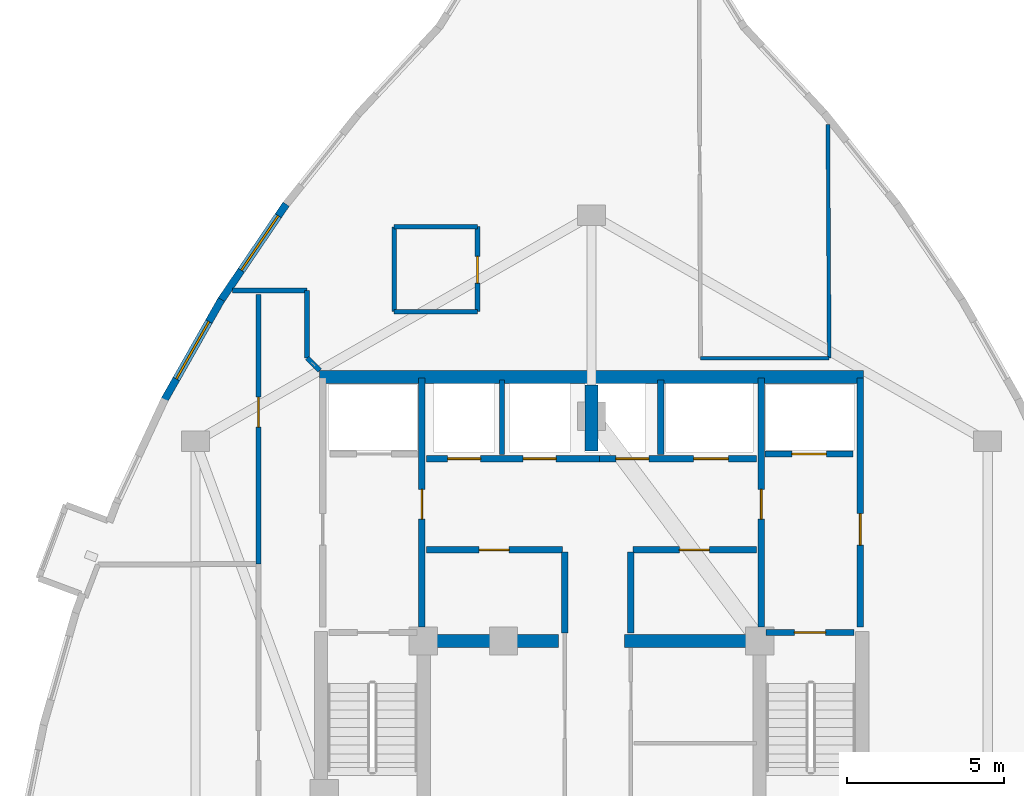
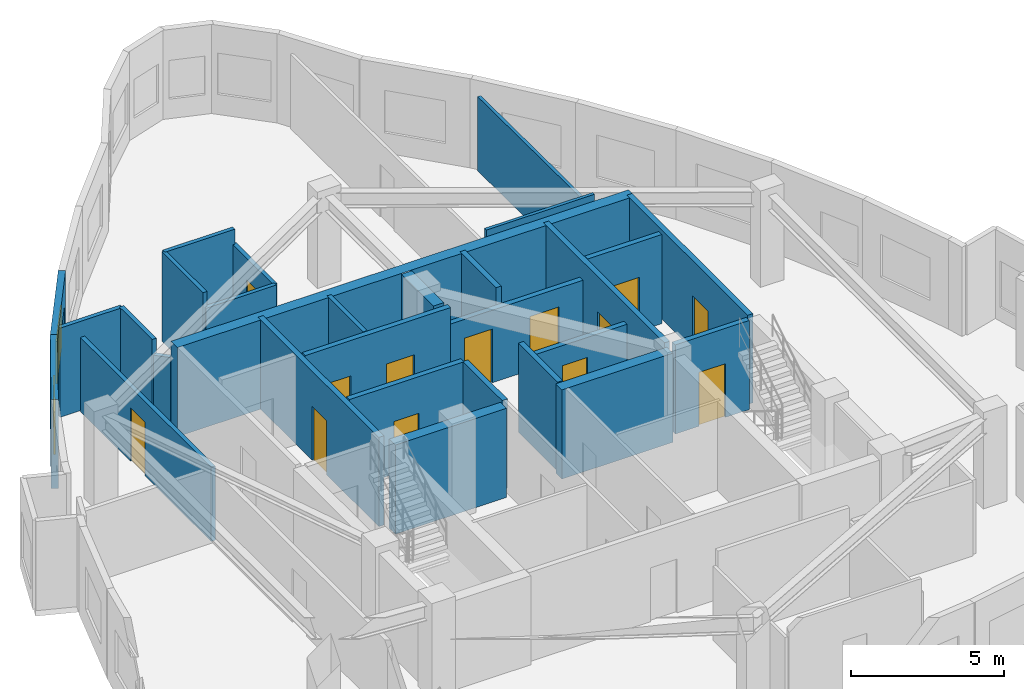
# One storey, part 6 of 9: 29 walls, 13 doors, 2 windows, 15 openings.
"""IFC4 building model written with IfcOpenShell, lengths in metres."""

from ifc_helpers import new_model, si_unit, direction, frame, frame_2d, origin, place, context, subcontext, project, spatial, rectangle, extrude, material, layer, layer_set, type_object, element, fill, save


model = new_model("IFC4")

# Units and contexts
model_context = context("Model", 3, precision=1e-05, world=origin(), true_north=direction((0.0, 1.0)))
body_context = subcontext(model_context, "Body", "Model", "MODEL_VIEW")
ifc_project = project(units=[si_unit("LENGTHUNIT", "METRE"), si_unit("AREAUNIT", "SQUARE_METRE"), si_unit("VOLUMEUNIT", "CUBIC_METRE"), si_unit("PLANEANGLEUNIT", "RADIAN"), si_unit("MASSUNIT", "GRAM", prefix="KILO")], contexts=[model_context])

# Site, building, storey
site_placement = place(None, origin())
site = spatial("IfcSite", under=ifc_project, at=site_placement, CompositionType="ELEMENT")
building_placement = place(site_placement, origin())
building = spatial("IfcBuilding", under=site, at=building_placement, Name="Miruveldt Soraemaru", CompositionType="ELEMENT")
storey_placement = place(building_placement, frame((0.0, 0.0, 263.550048828125)))
storey = spatial("IfcBuildingStorey", under=building, at=storey_placement, Name="L72", CompositionType="ELEMENT", Elevation=263.550048828125)

# Walls
ifc_material_1 = material(Name="Concrete C70/85 (70 MPa)", Category="concrete")
ifc_layer_1 = layer(ifc_material_1, 0.5, Name="Concrete C70/85 (70 MPa)", Category="concrete")
ifc_layer_set_1 = layer_set([ifc_layer_1], Name="Concrete C70/85 (70 MPa)")
wall_type_1 = type_object("IfcWallType", Name="WALL-BW-500", PredefinedType="SHEAR", material=ifc_layer_set_1)
wall_1_placement = place(storey_placement, frame((44.0, 50.10009765625, 0.0), z_axis=(0.0, 0.0, 1.0), x_axis=(0.0, 1.0, 0.0)))
element("IfcWall", 1, at=wall_1_placement, inside=storey, type_object=wall_type_1, Name="L72 Core Buttress Shear Wall BN", PredefinedType="SHEAR", context=body_context, shape_type="SweptSolid", body=[
    extrude(rectangle(XDim=2.099853515625, YDim=0.39990234375, at=frame_2d((1.0498046875, 0.0))), origin(), (0.0, 0.0, 1.0), 3.56494140625),
])
for number, where, z_axis, x_axis, name in (
    (2, (38.75, 44.050048828125, 0.0), (0.0, 0.0, 1.0), (1.0, 0.0, 0.0), "L72 Core Buttress Shear Wall BW"),
    (3, (45.050048828125, 44.050048828125, 0.0), (0.0, 0.0, 1.0), (1.0, 0.0, 0.0), "L72 Core Buttress Shear Wall BE"),
):
    element("IfcWall", number, at=place(storey_placement, frame(where, z_axis=z_axis, x_axis=x_axis)), inside=storey, type_object=wall_type_1, Name=name, PredefinedType="SHEAR", context=body_context, shape_type="SweptSolid", body=[
        extrude(rectangle(XDim=4.199951171875, YDim=0.39990234375, at=frame_2d((2.10009765625, 0.0))), origin(), (0.0, 0.0, 1.0), 3.56494140625),
    ])
ifc_material_2 = material(Name="Concrete C50/60 (50 MPa)", Category="concrete")
ifc_layer_2 = layer(ifc_material_2, 0.419921875, Name="Concrete C50/60 (50 MPa)", Category="concrete")
ifc_layer_set_2 = layer_set([ifc_layer_2], Name="Concrete C50/60 (50 MPa)")
wall_type_2 = type_object("IfcWallType", Name="WALL-CW-420", PredefinedType="SHEAR", material=ifc_layer_set_2)
wall_2_placement = place(storey_placement, frame((35.35009765625, 52.449951171875, 0.0), z_axis=(0.0, 0.0, 1.0), x_axis=(1.0, 0.0, 0.0)))
element("IfcWall", 4, at=wall_2_placement, inside=storey, type_object=wall_type_2, Name="L72 Central Core Shear Wall N", PredefinedType="SHEAR", context=body_context, shape_type="SweptSolid", body=[
    extrude(rectangle(XDim=17.2998046875, YDim=0.419921875, at=frame_2d((8.64990234375, 0.0))), origin(), (0.0, 0.0, 1.0), 3.56494140625),
])

# Wall, opening, window
ifc_material_3 = material(Name="Precast concrete C45/55 (45 MPa)", Category="concrete")
ifc_layer_3 = layer(ifc_material_3, 0.239990234375, Name="Precast concrete C45/55 (45 MPa)", Category="concrete")
ifc_layer_set_3 = layer_set([ifc_layer_3], Name="Precast concrete C45/55 (45 MPa)")
wall_type_3 = type_object("IfcWallType", Name="WALL-EXT-PC240", PredefinedType="SOLIDWALL", material=ifc_layer_set_3)
wall_3_placement = place(storey_placement, frame((34.2841796875, 57.948486328125, 0.0), z_axis=(0.0, 0.0, 1.0), x_axis=(-0.560822138973, -0.827936306993, 0.0)))
wall_3 = element("IfcWall", 5, at=wall_3_placement, inside=storey, type_object=wall_type_3, Name="L72 Precast Concrete Facade Wall 9", PredefinedType="SOLIDWALL", context=body_context, shape_type="SweptSolid", body=[
    extrude(rectangle(XDim=3.736328125, YDim=0.239990234375, at=frame_2d((1.8681640625, 0.0))), origin(), (0.0, 0.0, 1.0), 3.56494140625),
])
opening_1_placement = place(wall_3_placement, frame((0.444091796875, 0.0, 0.800048828125)))
opening_1 = element("IfcOpeningElement", 6, at=opening_1_placement, cuts=wall_3, Name="Opening WN-1", PredefinedType="OPENING", context=body_context, shape_type="SweptSolid", body=[
    extrude(rectangle(XDim=2.10009765625, YDim=1.699951171875, at=frame_2d((1.050048828125, 0.85009765625))), frame((0.0, 0.1298828125, 0.0), z_axis=(0.0, -1.0, 0.0), x_axis=(1.0, 0.0, 0.0)), (0.0, 0.0, 1.0), 0.260009765625),
])
ifc_material_4 = material(Name="Triple low-e insulated glazing", Category="glass")
window_type = type_object("IfcWindowType", Name="WIN-PUNCH-2100x1700", PartitioningType="SINGLE_PANEL", PredefinedType="WINDOW", material=ifc_material_4)
window_1_placement = place(opening_1_placement, origin())
window_1 = element("IfcWindow", 7, at=window_1_placement, inside=storey, type_object=window_type, Name="L72 Punched Triple-Glazed Window 09.1", OverallHeight=1.699951171875, OverallWidth=2.10009765625, PartitioningType="SINGLE_PANEL", PredefinedType="WINDOW", context=body_context, shape_type="SweptSolid", body=[
    extrude(rectangle(XDim=2.10009765625, YDim=1.699951171875, at=frame_2d((1.050048828125, 0.85009765625))), frame((0.0, 0.030029296875, 0.0), z_axis=(0.0, -1.0, 0.0), x_axis=(1.0, 0.0, 0.0)), (0.0, 0.0, 1.0), 0.06005859375),
])
fill(opening_1, window_1)

wall_4_placement = place(storey_placement, frame((32.2255859375, 54.91455078125, 0.0), z_axis=(0.0, 0.0, 1.0), x_axis=(-0.49336758037, -0.869820918718, 0.0)))
wall_4 = element("IfcWall", 8, at=wall_4_placement, inside=storey, type_object=wall_type_3, Name="L72 Precast Concrete Facade Wall 10", PredefinedType="SOLIDWALL", context=body_context, shape_type="SweptSolid", body=[
    extrude(rectangle(XDim=3.712890625, YDim=0.239990234375, at=frame_2d((1.8564453125, 0.0))), origin(), (0.0, 0.0, 1.0), 3.56494140625),
])
opening_2_placement = place(wall_4_placement, frame((0.805908203125, 0.0, 0.800048828125)))
opening_2 = element("IfcOpeningElement", 9, at=opening_2_placement, cuts=wall_4, Name="Opening WN-1", PredefinedType="OPENING", context=body_context, shape_type="SweptSolid", body=[
    extrude(rectangle(XDim=2.10009765625, YDim=1.699951171875, at=frame_2d((1.050048828125, 0.85009765625))), frame((0.0, 0.1298828125, 0.0), z_axis=(0.0, -1.0, 0.0), x_axis=(1.0, 0.0, 0.0)), (0.0, 0.0, 1.0), 0.260009765625),
])
window_2_placement = place(opening_2_placement, origin())
window_2 = element("IfcWindow", 10, at=window_2_placement, inside=storey, type_object=window_type, Name="L72 Punched Triple-Glazed Window 10.1", OverallHeight=1.699951171875, OverallWidth=2.10009765625, PartitioningType="SINGLE_PANEL", PredefinedType="WINDOW", context=body_context, shape_type="SweptSolid", body=[
    extrude(rectangle(XDim=2.10009765625, YDim=1.699951171875, at=frame_2d((1.050048828125, 0.85009765625))), frame((0.0, 0.030029296875, 0.0), z_axis=(0.0, -1.0, 0.0), x_axis=(1.0, 0.0, 0.0)), (0.0, 0.0, 1.0), 0.06005859375),
])
fill(opening_2, window_2)

# Walls
ifc_material_5 = material(Name="Gypsum plasterboard lining", Category="gypsum")
ifc_layer_4 = layer(ifc_material_5, 0.1201171875, Name="Gypsum plasterboard lining", Category="gypsum")
ifc_layer_set_4 = layer_set([ifc_layer_4], Name="Gypsum plasterboard lining")
wall_type_4 = type_object("IfcWallType", Name="WALL-INT-P120", PredefinedType="PARTITIONING", material=ifc_layer_set_4)
wall_5_placement = place(storey_placement, frame((51.51904296875, 60.48095703125, 0.0), z_axis=(0.0, 0.0, 1.0), x_axis=(0.005782339181, -0.999983282137, 0.0)))
element("IfcWall", 11, at=wall_5_placement, inside=storey, type_object=wall_type_4, Name="L72 Partition Wall 27", PredefinedType="PARTITIONING", context=body_context, shape_type="SweptSolid", body=[
    extrude(rectangle(XDim=7.43115234375, YDim=0.1201171875, at=frame_2d((3.715576171875, 0.0))), origin(), (0.0, 0.0, 1.0), 2.96484375),
])
wall_6_placement = place(storey_placement, frame((51.56201171875, 53.050048828125, 0.0), z_axis=(0.0, 0.0, 1.0), x_axis=(-1.0, 0.0, 0.0)))
element("IfcWall", 12, at=wall_6_placement, inside=storey, type_object=wall_type_4, Name="L72 Partition Wall 28", PredefinedType="PARTITIONING", context=body_context, shape_type="SweptSolid", body=[
    extrude(rectangle(XDim=4.095947265625, YDim=0.1201171875, at=frame_2d((2.0478515625, 0.0))), origin(), (0.0, 0.0, 1.0), 3.56494140625),
])

# Wall, opening, door
ifc_layer_5 = layer(ifc_material_5, 0.14990234375, Name="Gypsum plasterboard lining", Category="gypsum")
ifc_layer_set_5 = layer_set([ifc_layer_5], Name="Gypsum plasterboard lining")
wall_type_5 = type_object("IfcWallType", Name="WALL-INT-PLUMB", PredefinedType="PLUMBINGWALL", material=ifc_layer_set_5)
wall_7_placement = place(storey_placement, frame((40.3720703125, 54.530029296875, 0.0), z_axis=(0.0, 0.0, 1.0), x_axis=(0.0, 1.0, 0.0)))
wall_7 = element("IfcWall", 13, at=wall_7_placement, inside=storey, type_object=wall_type_5, Name="L72 Partition Wall 11", PredefinedType="PLUMBINGWALL", context=body_context, shape_type="SweptSolid", body=[
    extrude(rectangle(XDim=2.699951171875, YDim=0.14990234375, at=frame_2d((1.35009765625, 0.0))), origin(), (0.0, 0.0, 1.0), 2.96484375),
])
opening_3_placement = place(wall_7_placement, frame((0.909912109375, 0.0, 0.0)))
opening_3 = element("IfcOpeningElement", 14, at=opening_3_placement, cuts=wall_7, Name="Opening FD3", PredefinedType="OPENING", context=body_context, shape_type="SweptSolid", body=[
    extrude(rectangle(XDim=0.85009765625, YDim=2.10009765625, at=frame_2d((0.425048828125, 1.050048828125))), frame((0.0, 0.0849609375, 0.0), z_axis=(0.0, -1.0, 0.0), x_axis=(1.0, 0.0, 0.0)), (0.0, 0.0, 1.0), 0.169921875),
])
ifc_material_6 = material(Name="Anodised aluminium EN AW-6063 T6", Category="aluminium")
door_type_1 = type_object("IfcDoorType", Name="DOOR-FD3-850", OperationType="NOTDEFINED", PredefinedType="DOOR", material=ifc_material_6)
door_1_placement = place(opening_3_placement, origin())
door_1 = element("IfcDoor", 15, at=door_1_placement, inside=storey, type_object=door_type_1, Name="L72 Unit 7201 BTH Door", OperationType="SINGLE_SWING_RIGHT", OverallHeight=2.10009765625, OverallWidth=0.85009765625, PredefinedType="DOOR", context=body_context, shape_type="SweptSolid", body=[
    extrude(rectangle(XDim=0.85009765625, YDim=2.10009765625, at=frame_2d((0.425048828125, 1.050048828125))), frame((0.0, 0.02490234375, 0.0), z_axis=(0.0, -1.0, 0.0), x_axis=(1.0, 0.0, 0.0)), (0.0, 0.0, 1.0), 0.050048828125),
])
fill(opening_3, door_1)

# Walls
wall_8_placement = place(storey_placement, frame((37.721923828125, 57.22998046875, 0.0), z_axis=(0.0, 0.0, 1.0), x_axis=(0.0, -1.0, 0.0)))
element("IfcWall", 16, at=wall_8_placement, inside=storey, type_object=wall_type_5, Name="L72 Partition Wall 13", PredefinedType="PLUMBINGWALL", context=body_context, shape_type="SweptSolid", body=[
    extrude(rectangle(XDim=2.699951171875, YDim=0.14990234375, at=frame_2d((1.35009765625, 0.0))), origin(), (0.0, 0.0, 1.0), 3.56494140625),
])
wall_9_placement = place(storey_placement, frame((40.3720703125, 57.22998046875, 0.0), z_axis=(0.0, 0.0, 1.0), x_axis=(-1.0, 0.0, 0.0)))
element("IfcWall", 17, at=wall_9_placement, inside=storey, type_object=wall_type_5, Name="L72 Partition Wall 12", PredefinedType="PLUMBINGWALL", context=body_context, shape_type="SweptSolid", body=[
    extrude(rectangle(XDim=2.650146484375, YDim=0.14990234375, at=frame_2d((1.3251953125, 0.0))), origin(), (0.0, 0.0, 1.0), 3.56494140625),
])
wall_10_placement = place(storey_placement, frame((37.721923828125, 54.530029296875, 0.0), z_axis=(0.0, 0.0, 1.0), x_axis=(1.0, 0.0, 0.0)))
element("IfcWall", 18, at=wall_10_placement, inside=storey, type_object=wall_type_5, Name="L72 Partition Wall 14", PredefinedType="PLUMBINGWALL", context=body_context, shape_type="SweptSolid", body=[
    extrude(rectangle(XDim=2.650146484375, YDim=0.14990234375, at=frame_2d((1.3251953125, 0.0))), origin(), (0.0, 0.0, 1.0), 2.96484375),
])

# Wall, opening, door
ifc_material_7 = material(Name="Concrete C40/50 (40 MPa)", Category="concrete")
ifc_layer_6 = layer(ifc_material_7, 0.159912109375, Name="Concrete C40/50 (40 MPa)", Category="concrete")
ifc_layer_set_6 = layer_set([ifc_layer_6], Name="Concrete C40/50 (40 MPa)")
wall_type_6 = type_object("IfcWallType", Name="WALL-INT-RC160", PredefinedType="SOLIDWALL", material=ifc_layer_set_6)
wall_11_placement = place(storey_placement, frame((33.39990234375, 55.075927734375, 0.0), z_axis=(0.0, 0.0, 1.0), x_axis=(0.0, -1.0, 0.0)))
wall_11 = element("IfcWall", 19, at=wall_11_placement, inside=storey, type_object=wall_type_6, Name="L72 Partition Wall 3", PredefinedType="SOLIDWALL", context=body_context, shape_type="SweptSolid", body=[
    extrude(rectangle(XDim=8.571044921875, YDim=0.159912109375, at=frame_2d((4.28564453125, 0.0))), origin(), (0.0, 0.0, 1.0), 2.96484375),
])
opening_4_placement = place(wall_11_placement, frame((3.27001953125, 0.0, 0.0)))
opening_4 = element("IfcOpeningElement", 20, at=opening_4_placement, cuts=wall_11, Name="Opening FD2", PredefinedType="OPENING", context=body_context, shape_type="SweptSolid", body=[
    extrude(rectangle(XDim=0.949951171875, YDim=2.14990234375, at=frame_2d((0.47509765625, 1.074951171875))), frame((0.0, 0.08984375, 0.0), z_axis=(0.0, -1.0, 0.0), x_axis=(1.0, 0.0, 0.0)), (0.0, 0.0, 1.0), 0.179931640625),
])
door_type_2 = type_object("IfcDoorType", Name="DOOR-FD2-950", OperationType="NOTDEFINED", PredefinedType="DOOR", material=ifc_material_6)
door_2_placement = place(opening_4_placement, origin())
door_2 = element("IfcDoor", 21, at=door_2_placement, inside=storey, type_object=door_type_2, Name="L72 Unit 7201 Entrance Fire Door", OperationType="SINGLE_SWING_LEFT", OverallHeight=2.14990234375, OverallWidth=0.949951171875, PredefinedType="DOOR", context=body_context, shape_type="SweptSolid", body=[
    extrude(rectangle(XDim=0.949951171875, YDim=2.14990234375, at=frame_2d((0.47509765625, 1.074951171875))), frame((0.0, 0.02490234375, 0.0), z_axis=(0.0, -1.0, 0.0), x_axis=(1.0, 0.0, 0.0)), (0.0, 0.0, 1.0), 0.050048828125),
])
fill(opening_4, door_2)

# Walls
wall_12_placement = place(storey_placement, frame((41.14990234375, 49.97998046875, 0.0), z_axis=(0.0, 0.0, 1.0), x_axis=(0.0, 1.0, 0.0)))
element("IfcWall", 22, at=wall_12_placement, inside=storey, type_object=wall_type_6, Name="L72 Core Compartment Wall PLH-DIV1", PredefinedType="SOLIDWALL", context=body_context, shape_type="SweptSolid", body=[
    extrude(rectangle(XDim=2.3701171875, YDim=0.159912109375, at=frame_2d((1.18505859375, 0.0))), origin(), (0.0, 0.0, 1.0), 3.56494140625),
])
wall_13_placement = place(storey_placement, frame((34.949951171875, 55.199951171875, 0.0), z_axis=(0.0, 0.0, 1.0), x_axis=(-1.0, 0.0, 0.0)))
element("IfcWall", 23, at=wall_13_placement, inside=storey, type_object=wall_type_6, Name="L72 Partition Wall 2", PredefinedType="SOLIDWALL", context=body_context, shape_type="SweptSolid", body=[
    extrude(rectangle(XDim=2.364990234375, YDim=0.159912109375, at=frame_2d((1.1826171875, 0.0))), origin(), (0.0, 0.0, 1.0), 3.56494140625),
])
wall_14_placement = place(storey_placement, frame((34.949951171875, 53.054931640625, 0.0), z_axis=(0.0, 0.0, 1.0), x_axis=(0.0, 1.0, 0.0)))
element("IfcWall", 24, at=wall_14_placement, inside=storey, type_object=wall_type_6, Name="L72 Partition Wall 1", PredefinedType="SOLIDWALL", context=body_context, shape_type="SweptSolid", body=[
    extrude(rectangle(XDim=2.14501953125, YDim=0.159912109375, at=frame_2d((1.072509765625, 0.0))), origin(), (0.0, 0.0, 1.0), 3.56494140625),
])
wall_15_placement = place(storey_placement, frame((34.949951171875, 53.054931640625, 0.0), z_axis=(0.0, 0.0, 1.0), x_axis=(0.711651166781, -0.70253300052, 0.0)))
element("IfcWall", 25, at=wall_15_placement, inside=storey, type_object=wall_type_6, Name="L72 Partition Closure Return 1", PredefinedType="SOLIDWALL", context=body_context, shape_type="SweptSolid", body=[
    extrude(rectangle(XDim=0.562255859375, YDim=0.159912109375, at=frame_2d((0.28125, 0.0))), origin(), (0.0, 0.0, 1.0), 2.96484375),
])

# Wall, opening, door
ifc_layer_7 = layer(ifc_material_7, 0.199951171875, Name="Concrete C40/50 (40 MPa)", Category="concrete")
ifc_layer_set_7 = layer_set([ifc_layer_7], Name="Concrete C40/50 (40 MPa)")
wall_type_7 = type_object("IfcWallType", Name="WALL-INT-RC200", PredefinedType="SOLIDWALL", material=ifc_layer_set_7)
wall_16_placement = place(storey_placement, frame((52.550048828125, 44.5, 0.0), z_axis=(0.0, 0.0, 1.0), x_axis=(0.0, 1.0, 0.0)))
wall_16 = element("IfcWall", 26, at=wall_16_placement, inside=storey, type_object=wall_type_7, Name="L72 Core Compartment Wall FFE-OUT", PredefinedType="SOLIDWALL", context=body_context, shape_type="SweptSolid", body=[
    extrude(rectangle(XDim=7.919921875, YDim=0.199951171875, at=frame_2d((3.9599609375, 0.0))), origin(), (0.0, 0.0, 1.0), 3.56494140625),
])
opening_5_placement = place(wall_16_placement, frame((2.60009765625, 0.0, 0.0)))
opening_5 = element("IfcOpeningElement", 27, at=opening_5_placement, cuts=wall_16, Name="Opening FD1", PredefinedType="OPENING", context=body_context, shape_type="SweptSolid", body=[
    extrude(rectangle(XDim=1.0, YDim=2.14990234375, at=frame_2d((0.5, 1.074951171875))), frame((0.0, 0.10986328125, 0.0), z_axis=(0.0, -1.0, 0.0), x_axis=(1.0, 0.0, 0.0)), (0.0, 0.0, 1.0), 0.219970703125),
])
door_type_3 = type_object("IfcDoorType", Name="DOOR-FD1-1000", OperationType="NOTDEFINED", PredefinedType="DOOR", material=ifc_material_6)
door_3_placement = place(opening_5_placement, frame((1.0, 0.0, 0.0), z_axis=(0.0, 0.0, 1.0), x_axis=(-1.0, 0.0, 0.0)))
door_3 = element("IfcDoor", 28, at=door_3_placement, inside=storey, type_object=door_type_3, Name="L72 East Firefighting Lobby Exit Door", OperationType="SINGLE_SWING_RIGHT", OverallHeight=2.14990234375, OverallWidth=1.0, PredefinedType="DOOR", context=body_context, shape_type="SweptSolid", body=[
    extrude(rectangle(XDim=1.0, YDim=2.14990234375, at=frame_2d((0.5, 1.074951171875))), frame((0.0, 0.02490234375, 0.0), z_axis=(0.0, -1.0, 0.0), x_axis=(1.0, 0.0, 0.0)), (0.0, 0.0, 1.0), 0.050048828125),
])
fill(opening_5, door_3)

wall_17_placement = place(storey_placement, frame((38.60009765625, 44.5, 0.0), z_axis=(0.0, 0.0, 1.0), x_axis=(0.0, 1.0, 0.0)))
wall_17 = element("IfcWall", 29, at=wall_17_placement, inside=storey, type_object=wall_type_7, Name="L72 Core Compartment Wall FFW-IN", PredefinedType="SOLIDWALL", context=body_context, shape_type="SweptSolid", body=[
    extrude(rectangle(XDim=7.919921875, YDim=0.199951171875, at=frame_2d((3.9599609375, 0.0))), origin(), (0.0, 0.0, 1.0), 3.56494140625),
])
opening_6_placement = place(wall_17_placement, frame((3.425048828125, 0.0, 0.0)))
opening_6 = element("IfcOpeningElement", 30, at=opening_6_placement, cuts=wall_17, Name="Opening FD2", PredefinedType="OPENING", context=body_context, shape_type="SweptSolid", body=[
    extrude(rectangle(XDim=0.949951171875, YDim=2.14990234375, at=frame_2d((0.47509765625, 1.074951171875))), frame((0.0, 0.10986328125, 0.0), z_axis=(0.0, -1.0, 0.0), x_axis=(1.0, 0.0, 0.0)), (0.0, 0.0, 1.0), 0.219970703125),
])
door_4_placement = place(opening_6_placement, frame((0.949951171875, 0.0, 0.0), z_axis=(0.0, 0.0, 1.0), x_axis=(-1.0, 0.0, 0.0)))
door_4 = element("IfcDoor", 31, at=door_4_placement, inside=storey, type_object=door_type_2, Name="L72 Lift Lobby to West Fire Lobby Door", OperationType="SINGLE_SWING_RIGHT", OverallHeight=2.14990234375, OverallWidth=0.949951171875, PredefinedType="DOOR", context=body_context, shape_type="SweptSolid", body=[
    extrude(rectangle(XDim=0.949951171875, YDim=2.14990234375, at=frame_2d((0.47509765625, 1.074951171875))), frame((0.0, 0.02490234375, 0.0), z_axis=(0.0, -1.0, 0.0), x_axis=(1.0, 0.0, 0.0)), (0.0, 0.0, 1.0), 0.050048828125),
])
fill(opening_6, door_4)

wall_18_placement = place(storey_placement, frame((49.39990234375, 44.5, 0.0), z_axis=(0.0, 0.0, 1.0), x_axis=(0.0, 1.0, 0.0)))
wall_18 = element("IfcWall", 32, at=wall_18_placement, inside=storey, type_object=wall_type_7, Name="L72 Core Compartment Wall FFE-IN", PredefinedType="SOLIDWALL", context=body_context, shape_type="SweptSolid", body=[
    extrude(rectangle(XDim=7.919921875, YDim=0.199951171875, at=frame_2d((3.9599609375, 0.0))), origin(), (0.0, 0.0, 1.0), 3.56494140625),
])
opening_7_placement = place(wall_18_placement, frame((3.425048828125, 0.0, 0.0)))
opening_7 = element("IfcOpeningElement", 33, at=opening_7_placement, cuts=wall_18, Name="Opening FD2", PredefinedType="OPENING", context=body_context, shape_type="SweptSolid", body=[
    extrude(rectangle(XDim=0.949951171875, YDim=2.14990234375, at=frame_2d((0.47509765625, 1.074951171875))), frame((0.0, 0.10986328125, 0.0), z_axis=(0.0, -1.0, 0.0), x_axis=(1.0, 0.0, 0.0)), (0.0, 0.0, 1.0), 0.219970703125),
])
door_5_placement = place(opening_7_placement, origin())
door_5 = element("IfcDoor", 34, at=door_5_placement, inside=storey, type_object=door_type_2, Name="L72 Lift Lobby to East Fire Lobby Door", OperationType="SINGLE_SWING_LEFT", OverallHeight=2.14990234375, OverallWidth=0.949951171875, PredefinedType="DOOR", context=body_context, shape_type="SweptSolid", body=[
    extrude(rectangle(XDim=0.949951171875, YDim=2.14990234375, at=frame_2d((0.47509765625, 1.074951171875))), frame((0.0, 0.02490234375, 0.0), z_axis=(0.0, -1.0, 0.0), x_axis=(1.0, 0.0, 0.0)), (0.0, 0.0, 1.0), 0.050048828125),
])
fill(opening_7, door_5)

# Wall, openings, doors
wall_19_placement = place(storey_placement, frame((38.75, 49.85009765625, 0.0), z_axis=(0.0, 0.0, 1.0), x_axis=(1.0, 0.0, 0.0)))
wall_19 = element("IfcWall", 35, at=wall_19_placement, inside=storey, type_object=wall_type_7, Name="L72 Core Compartment Wall ROWA-SW", PredefinedType="SOLIDWALL", context=body_context, shape_type="SweptSolid", body=[
    extrude(rectangle(XDim=5.5, YDim=0.199951171875, at=frame_2d((2.75, 0.0))), origin(), (0.0, 0.0, 1.0), 3.56494140625),
])
opening_8_placement = place(wall_19_placement, frame((0.675048828125, 0.0, 0.0)))
opening_8 = element("IfcOpeningElement", 36, at=opening_8_placement, cuts=wall_19, Name="Opening LD1", PredefinedType="OPENING", context=body_context, shape_type="SweptSolid", body=[
    extrude(rectangle(XDim=1.050048828125, YDim=2.14990234375, at=frame_2d((0.52490234375, 1.074951171875))), frame((0.0, 0.10986328125, 0.0), z_axis=(0.0, -1.0, 0.0), x_axis=(1.0, 0.0, 0.0)), (0.0, 0.0, 1.0), 0.219970703125),
])
opening_9_placement = place(wall_19_placement, frame((3.074951171875, 0.0, 0.0)))
opening_9 = element("IfcOpeningElement", 37, at=opening_9_placement, cuts=wall_19, Name="Opening LD1", PredefinedType="OPENING", context=body_context, shape_type="SweptSolid", body=[
    extrude(rectangle(XDim=1.050048828125, YDim=2.14990234375, at=frame_2d((0.52490234375, 1.074951171875))), frame((0.0, 0.10986328125, 0.0), z_axis=(0.0, -1.0, 0.0), x_axis=(1.0, 0.0, 0.0)), (0.0, 0.0, 1.0), 0.219970703125),
])
door_type_4 = type_object("IfcDoorType", Name="DOOR-LD1-1050", OperationType="SLIDING_TO_LEFT", PredefinedType="DOOR", material=ifc_material_6)
door_6_placement = place(opening_8_placement, origin())
door_6 = element("IfcDoor", 38, at=door_6_placement, inside=storey, type_object=door_type_4, Name="L72 PL-H1 Landing Door", OperationType="SLIDING_TO_LEFT", OverallHeight=2.14990234375, OverallWidth=1.050048828125, PredefinedType="DOOR", context=body_context, shape_type="SweptSolid", body=[
    extrude(rectangle(XDim=1.050048828125, YDim=2.14990234375, at=frame_2d((0.52490234375, 1.074951171875))), frame((0.0, 0.02490234375, 0.0), z_axis=(0.0, -1.0, 0.0), x_axis=(1.0, 0.0, 0.0)), (0.0, 0.0, 1.0), 0.050048828125),
])
fill(opening_8, door_6)
door_7_placement = place(opening_9_placement, origin())
door_7 = element("IfcDoor", 39, at=door_7_placement, inside=storey, type_object=door_type_4, Name="L72 PL-H2 Landing Door", OperationType="SLIDING_TO_LEFT", OverallHeight=2.14990234375, OverallWidth=1.050048828125, PredefinedType="DOOR", context=body_context, shape_type="SweptSolid", body=[
    extrude(rectangle(XDim=1.050048828125, YDim=2.14990234375, at=frame_2d((0.52490234375, 1.074951171875))), frame((0.0, 0.02490234375, 0.0), z_axis=(0.0, -1.0, 0.0), x_axis=(1.0, 0.0, 0.0)), (0.0, 0.0, 1.0), 0.050048828125),
])
fill(opening_9, door_7)

wall_20_placement = place(storey_placement, frame((44.25, 49.85009765625, 0.0), z_axis=(0.0, 0.0, 1.0), x_axis=(1.0, 0.0, 0.0)))
wall_20 = element("IfcWall", 40, at=wall_20_placement, inside=storey, type_object=wall_type_7, Name="L72 Core Compartment Wall ROWA-SE", PredefinedType="SOLIDWALL", context=body_context, shape_type="SweptSolid", body=[
    extrude(rectangle(XDim=5.0, YDim=0.199951171875, at=frame_2d((2.5, 0.0))), origin(), (0.0, 0.0, 1.0), 2.90283203125),
])
opening_10_placement = place(wall_20_placement, frame((0.52490234375, 0.0, 0.0)))
opening_10 = element("IfcOpeningElement", 41, at=opening_10_placement, cuts=wall_20, Name="Opening LD1", PredefinedType="OPENING", context=body_context, shape_type="SweptSolid", body=[
    extrude(rectangle(XDim=1.050048828125, YDim=2.14990234375, at=frame_2d((0.52490234375, 1.074951171875))), frame((0.0, 0.10986328125, 0.0), z_axis=(0.0, -1.0, 0.0), x_axis=(1.0, 0.0, 0.0)), (0.0, 0.0, 1.0), 0.219970703125),
])
opening_11_placement = place(wall_20_placement, frame((3.0, 0.0, 0.0)))
opening_11 = element("IfcOpeningElement", 42, at=opening_11_placement, cuts=wall_20, Name="Opening LD2", PredefinedType="OPENING", context=body_context, shape_type="SweptSolid", body=[
    extrude(rectangle(XDim=1.10009765625, YDim=2.14990234375, at=frame_2d((0.550048828125, 1.074951171875))), frame((0.0, 0.10986328125, 0.0), z_axis=(0.0, -1.0, 0.0), x_axis=(1.0, 0.0, 0.0)), (0.0, 0.0, 1.0), 0.219970703125),
])
door_8_placement = place(opening_10_placement, origin())
door_8 = element("IfcDoor", 43, at=door_8_placement, inside=storey, type_object=door_type_4, Name="L72 PL-H3 Landing Door", OperationType="SLIDING_TO_LEFT", OverallHeight=2.14990234375, OverallWidth=1.050048828125, PredefinedType="DOOR", context=body_context, shape_type="SweptSolid", body=[
    extrude(rectangle(XDim=1.050048828125, YDim=2.14990234375, at=frame_2d((0.52490234375, 1.074951171875))), frame((0.0, 0.02490234375, 0.0), z_axis=(0.0, -1.0, 0.0), x_axis=(1.0, 0.0, 0.0)), (0.0, 0.0, 1.0), 0.050048828125),
])
fill(opening_10, door_8)
door_type_5 = type_object("IfcDoorType", Name="DOOR-LD2-1100", OperationType="SLIDING_TO_LEFT", PredefinedType="DOOR", material=ifc_material_6)
door_9_placement = place(opening_11_placement, origin())
door_9 = element("IfcDoor", 44, at=door_9_placement, inside=storey, type_object=door_type_5, Name="L72 SL-1 Landing Door", OperationType="SLIDING_TO_LEFT", OverallHeight=2.14990234375, OverallWidth=1.10009765625, PredefinedType="DOOR", context=body_context, shape_type="SweptSolid", body=[
    extrude(rectangle(XDim=1.10009765625, YDim=2.14990234375, at=frame_2d((0.550048828125, 1.074951171875))), frame((0.0, 0.02490234375, 0.0), z_axis=(0.0, -1.0, 0.0), x_axis=(1.0, 0.0, 0.0)), (0.0, 0.0, 1.0), 0.050048828125),
])
fill(opening_11, door_9)

# Wall, opening, door
wall_21_placement = place(storey_placement, frame((38.75, 46.949951171875, 0.0), z_axis=(0.0, 0.0, 1.0), x_axis=(1.0, 0.0, 0.0)))
wall_21 = element("IfcWall", 45, at=wall_21_placement, inside=storey, type_object=wall_type_7, Name="L72 Core Compartment Wall MBW-N", PredefinedType="SOLIDWALL", context=body_context, shape_type="SweptSolid", body=[
    extrude(rectangle(XDim=4.330078125, YDim=0.199951171875, at=frame_2d((2.1650390625, 0.0))), origin(), (0.0, 0.0, 1.0), 3.56494140625),
])
opening_12_placement = place(wall_21_placement, frame((1.675048828125, 0.0, 0.0)))
opening_12 = element("IfcOpeningElement", 46, at=opening_12_placement, cuts=wall_21, Name="Opening D2", PredefinedType="OPENING", context=body_context, shape_type="SweptSolid", body=[
    extrude(rectangle(XDim=0.949951171875, YDim=2.10009765625, at=frame_2d((0.47509765625, 1.050048828125))), frame((0.0, 0.10986328125, 0.0), z_axis=(0.0, -1.0, 0.0), x_axis=(1.0, 0.0, 0.0)), (0.0, 0.0, 1.0), 0.219970703125),
])
door_type_6 = type_object("IfcDoorType", Name="DOOR-INT-950", OperationType="NOTDEFINED", PredefinedType="DOOR", material=ifc_material_6)
door_10_placement = place(opening_12_placement, origin())
door_10 = element("IfcDoor", 47, at=door_10_placement, inside=storey, type_object=door_type_6, Name="L72 Fire Door", OperationType="SINGLE_SWING_LEFT", OverallHeight=2.10009765625, OverallWidth=0.949951171875, PredefinedType="DOOR", context=body_context, shape_type="SweptSolid", body=[
    extrude(rectangle(XDim=0.949951171875, YDim=2.10009765625, at=frame_2d((0.47509765625, 1.050048828125))), frame((0.0, 0.02490234375, 0.0), z_axis=(0.0, -1.0, 0.0), x_axis=(1.0, 0.0, 0.0)), (0.0, 0.0, 1.0), 0.050048828125),
])
fill(opening_12, door_10)

wall_22_placement = place(storey_placement, frame((45.320068359375, 46.949951171875, 0.0), z_axis=(0.0, 0.0, 1.0), x_axis=(1.0, 0.0, 0.0)))
wall_22 = element("IfcWall", 48, at=wall_22_placement, inside=storey, type_object=wall_type_7, Name="L72 Core Compartment Wall MBE-N", PredefinedType="SOLIDWALL", context=body_context, shape_type="SweptSolid", body=[
    extrude(rectangle(XDim=3.929931640625, YDim=0.199951171875, at=frame_2d((1.96484375, 0.0))), origin(), (0.0, 0.0, 1.0), 2.90283203125),
])
opening_13_placement = place(wall_22_placement, frame((1.47509765625, 0.0, 0.0)))
opening_13 = element("IfcOpeningElement", 49, at=opening_13_placement, cuts=wall_22, Name="Opening D2", PredefinedType="OPENING", context=body_context, shape_type="SweptSolid", body=[
    extrude(rectangle(XDim=0.949951171875, YDim=2.10009765625, at=frame_2d((0.47509765625, 1.050048828125))), frame((0.0, 0.10986328125, 0.0), z_axis=(0.0, -1.0, 0.0), x_axis=(1.0, 0.0, 0.0)), (0.0, 0.0, 1.0), 0.219970703125),
])
door_11_placement = place(opening_13_placement, origin())
door_11 = element("IfcDoor", 50, at=door_11_placement, inside=storey, type_object=door_type_6, Name="L72 Fire Door", OperationType="SINGLE_SWING_LEFT", OverallHeight=2.10009765625, OverallWidth=0.949951171875, PredefinedType="DOOR", context=body_context, shape_type="SweptSolid", body=[
    extrude(rectangle(XDim=0.949951171875, YDim=2.10009765625, at=frame_2d((0.47509765625, 1.050048828125))), frame((0.0, 0.02490234375, 0.0), z_axis=(0.0, -1.0, 0.0), x_axis=(1.0, 0.0, 0.0)), (0.0, 0.0, 1.0), 0.050048828125),
])
fill(opening_13, door_11)

wall_23_placement = place(storey_placement, frame((49.550048828125, 44.320068359375, 0.0), z_axis=(0.0, 0.0, 1.0), x_axis=(1.0, 0.0, 0.0)))
wall_23 = element("IfcWall", 51, at=wall_23_placement, inside=storey, type_object=wall_type_7, Name="L72 Core Compartment Wall ST2-N", PredefinedType="SOLIDWALL", context=body_context, shape_type="SweptSolid", body=[
    extrude(rectangle(XDim=2.800048828125, YDim=0.199951171875, at=frame_2d((1.39990234375, 0.0))), origin(), (0.0, 0.0, 1.0), 3.56494140625),
])
opening_14_placement = place(wall_23_placement, frame((0.89990234375, 0.0, 0.0)))
opening_14 = element("IfcOpeningElement", 52, at=opening_14_placement, cuts=wall_23, Name="Opening FD1", PredefinedType="OPENING", context=body_context, shape_type="SweptSolid", body=[
    extrude(rectangle(XDim=1.0, YDim=2.14990234375, at=frame_2d((0.5, 1.074951171875))), frame((0.0, 0.10986328125, 0.0), z_axis=(0.0, -1.0, 0.0), x_axis=(1.0, 0.0, 0.0)), (0.0, 0.0, 1.0), 0.219970703125),
])
door_12_placement = place(opening_14_placement, frame((1.0, 0.0, 0.0), z_axis=(0.0, 0.0, 1.0), x_axis=(-1.0, 0.0, 0.0)))
door_12 = element("IfcDoor", 53, at=door_12_placement, inside=storey, type_object=door_type_3, Name="L72 Stair ST-2 Fire Door", OperationType="SINGLE_SWING_RIGHT", OverallHeight=2.14990234375, OverallWidth=1.0, PredefinedType="DOOR", context=body_context, shape_type="SweptSolid", body=[
    extrude(rectangle(XDim=1.0, YDim=2.14990234375, at=frame_2d((0.5, 1.074951171875))), frame((0.0, 0.02490234375, 0.0), z_axis=(0.0, -1.0, 0.0), x_axis=(1.0, 0.0, 0.0)), (0.0, 0.0, 1.0), 0.050048828125),
])
fill(opening_14, door_12)

wall_24_placement = place(storey_placement, frame((49.52001953125, 50.0, 0.0), z_axis=(0.0, 0.0, 1.0), x_axis=(1.0, 0.0, 0.0)))
wall_24 = element("IfcWall", 54, at=wall_24_placement, inside=storey, type_object=wall_type_7, Name="L72 Core Compartment Wall FFL2-S", PredefinedType="SOLIDWALL", context=body_context, shape_type="SweptSolid", body=[
    extrude(rectangle(XDim=2.800048828125, YDim=0.199951171875, at=frame_2d((1.39990234375, 0.0))), origin(), (0.0, 0.0, 1.0), 3.56494140625),
])
opening_15_placement = place(wall_24_placement, frame((0.85009765625, 0.0, 0.0)))
opening_15 = element("IfcOpeningElement", 55, at=opening_15_placement, cuts=wall_24, Name="Opening LD2", PredefinedType="OPENING", context=body_context, shape_type="SweptSolid", body=[
    extrude(rectangle(XDim=1.10009765625, YDim=2.14990234375, at=frame_2d((0.550048828125, 1.074951171875))), frame((0.0, 0.10986328125, 0.0), z_axis=(0.0, -1.0, 0.0), x_axis=(1.0, 0.0, 0.0)), (0.0, 0.0, 1.0), 0.219970703125),
])
door_13_placement = place(opening_15_placement, origin())
door_13 = element("IfcDoor", 56, at=door_13_placement, inside=storey, type_object=door_type_5, Name="L72 FFL-2 Landing Door", OperationType="SLIDING_TO_LEFT", OverallHeight=2.14990234375, OverallWidth=1.10009765625, PredefinedType="DOOR", context=body_context, shape_type="SweptSolid", body=[
    extrude(rectangle(XDim=1.10009765625, YDim=2.14990234375, at=frame_2d((0.550048828125, 1.074951171875))), frame((0.0, 0.02490234375, 0.0), z_axis=(0.0, -1.0, 0.0), x_axis=(1.0, 0.0, 0.0)), (0.0, 0.0, 1.0), 0.050048828125),
])
fill(opening_15, door_13)

# Walls
for number, where, z_axis, x_axis, name in (
    (57, (43.14990234375, 44.300048828125, 0.0), (0.0, 0.0, 1.0), (0.0, 1.0, 0.0), "L72 Core Compartment Wall SP-WB"),
    (58, (45.25, 44.300048828125, 0.0), (0.0, 0.0, 1.0), (0.0, 1.0, 0.0), "L72 Core Compartment Wall SP-EB"),
):
    element("IfcWall", number, at=place(storey_placement, frame(where, z_axis=z_axis, x_axis=x_axis)), inside=storey, type_object=wall_type_7, Name=name, PredefinedType="SOLIDWALL", context=body_context, shape_type="SweptSolid", body=[
        extrude(rectangle(XDim=2.579833984375, YDim=0.199951171875, at=frame_2d((1.2900390625, 0.0))), origin(), (0.0, 0.0, 1.0), 3.56494140625),
    ])
wall_25_placement = place(storey_placement, frame((46.199951171875, 49.97998046875, 0.0), z_axis=(0.0, 0.0, 1.0), x_axis=(0.0, 1.0, 0.0)))
element("IfcWall", 59, at=wall_25_placement, inside=storey, type_object=wall_type_7, Name="L72 Core Compartment Wall PLH-SL-DIV", PredefinedType="SOLIDWALL", context=body_context, shape_type="SweptSolid", body=[
    extrude(rectangle(XDim=2.3701171875, YDim=0.199951171875, at=frame_2d((1.18505859375, 0.0))), origin(), (0.0, 0.0, 1.0), 3.56494140625),
])

save(model, "model.ifc")
